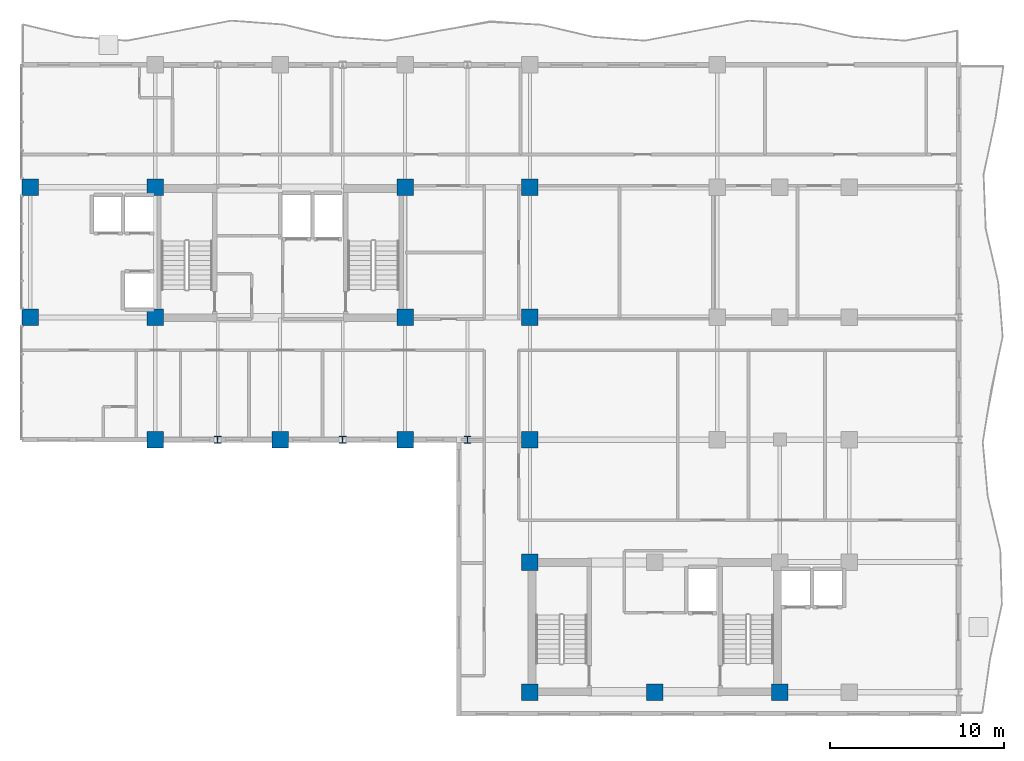
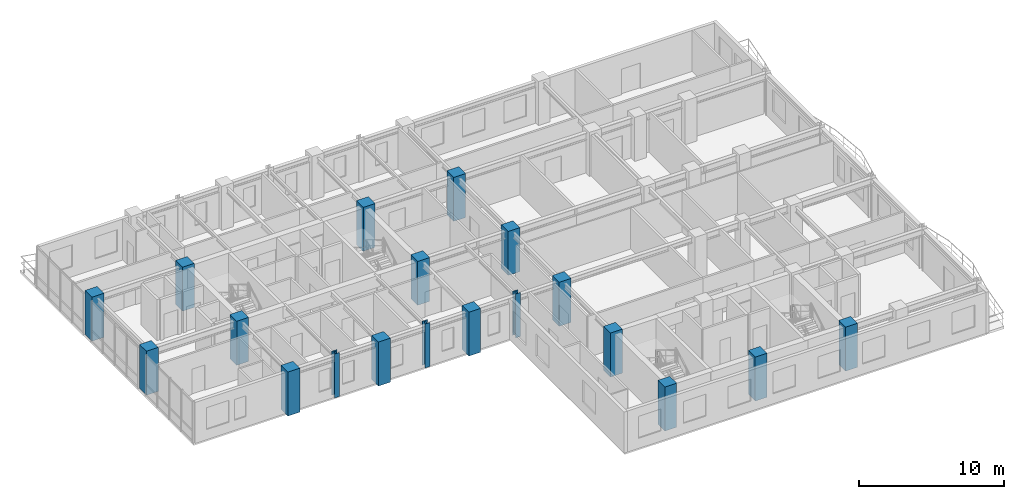
# One storey, part 1 of 20: 19 columns.
"""IFC4 building model written with IfcOpenShell, lengths in metres."""

from ifc_helpers import new_model, si_unit, direction, frame, origin, origin_2d, place, context, subcontext, project, spatial, rectangle, i_section, extrude, source, transform, mapped, material, material_profile, profile_set, type_object, element, save


model = new_model("IFC4")

# Units and contexts
model_context = context("Model", 3, precision=1e-05, world=origin(), true_north=direction((0.0, 1.0)))
body_context = subcontext(model_context, "Body", "Model", "MODEL_VIEW")
ifc_project = project(units=[si_unit("LENGTHUNIT", "METRE"), si_unit("AREAUNIT", "SQUARE_METRE"), si_unit("VOLUMEUNIT", "CUBIC_METRE"), si_unit("PLANEANGLEUNIT", "RADIAN"), si_unit("MASSUNIT", "GRAM", prefix="KILO")], contexts=[model_context])

# Site, building, storey
site_placement = place(None, origin())
site = spatial("IfcSite", under=ifc_project, at=site_placement, CompositionType="ELEMENT")
building_placement = place(site_placement, origin())
building = spatial("IfcBuilding", under=site, at=building_placement, Name="Kaliganga Portal Commons", CompositionType="ELEMENT")
storey_placement = place(building_placement, frame((0.0, 0.0, 201.800048828125)))
storey = spatial("IfcBuildingStorey", under=building, at=storey_placement, Name="L51", CompositionType="ELEMENT", Elevation=201.800048828125)

# Columns
ifc_material_1 = material(Name="Concrete C50/60", Category="concrete")
ifc_material_profile_1 = material_profile(ifc_material_1, rectangle(XDim=0.949951171875, YDim=0.949951171875, at=origin_2d()), Name="RC 950x950")
ifc_profile_set_1 = profile_set([ifc_material_profile_1], Name="Concrete C50/60")
column_type_1 = type_object("IfcColumnType", Name="COL-MEGA-Z4", PredefinedType="COLUMN", material=ifc_profile_set_1)
shared_shape_1 = source(origin(), body_context, "Body", "SweptSolid", [
    extrude(rectangle(XDim=0.949951171875, YDim=0.949951171875, at=origin_2d()), origin(), (0.0, 0.0, 1.0), 3.699951171875),
])
for number, where, z_axis, x_axis, name in (
    (1, (7.199951171875, 28.64990234375, 0.0), (0.0, 0.0, 1.0), (1.0, 0.0, 0.0), "Column MC-05 L51"),
    (2, (7.199951171875, 36.14990234375, 0.0), (0.0, 0.0, 1.0), (1.0, 0.0, 0.0), "Column MC-05 L51"),
    (3, (14.39990234375, 21.60009765625, 0.0), (0.0, 0.0, 1.0), (1.0, 0.0, 0.0), "Column MC-05 L51"),
    (4, (14.39990234375, 28.64990234375, 0.0), (0.0, 0.0, 1.0), (1.0, 0.0, 0.0), "Column MC-05 L51"),
    (5, (14.39990234375, 36.14990234375, 0.0), (0.0, 0.0, 1.0), (1.0, 0.0, 0.0), "Column MC-05 L51"),
    (6, (21.60009765625, 21.60009765625, 0.0), (0.0, 0.0, 1.0), (1.0, 0.0, 0.0), "Column MC-05 L51"),
    (7, (28.800048828125, 21.60009765625, 0.0), (0.0, 0.0, 1.0), (1.0, 0.0, 0.0), "Column MC-05 L51"),
    (8, (28.800048828125, 28.64990234375, 0.0), (0.0, 0.0, 1.0), (1.0, 0.0, 0.0), "Column MC-05 L51"),
    (9, (28.800048828125, 36.14990234375, 0.0), (0.0, 0.0, 1.0), (1.0, 0.0, 0.0), "Column MC-05 L51"),
    (10, (36.0, 21.60009765625, 0.0), (0.0, 0.0, 1.0), (1.0, 0.0, 0.0), "Column MC-05 L51"),
    (11, (36.0, 28.64990234375, 0.0), (0.0, 0.0, 1.0), (1.0, 0.0, 0.0), "Column MC-05 L51"),
    (12, (36.0, 36.14990234375, 0.0), (0.0, 0.0, 1.0), (1.0, 0.0, 0.0), "Column MC-05 L51"),
    (13, (36.0, 7.050048828125, 0.0), (0.0, 0.0, 1.0), (1.0, 0.0, 0.0), "Column MC-05 L51"),
    (14, (36.0, 14.550048828125, 0.0), (0.0, 0.0, 1.0), (1.0, 0.0, 0.0), "Column MC-05 L51"),
    (15, (43.199951171875, 7.050048828125, 0.0), (0.0, 0.0, 1.0), (1.0, 0.0, 0.0), "Column MC-05 L51"),
    (16, (50.39990234375, 7.050048828125, 0.0), (0.0, 0.0, 1.0), (1.0, 0.0, 0.0), "Column MC-05 L51"),
):
    element("IfcColumn", number, at=place(storey_placement, frame(where, z_axis=z_axis, x_axis=x_axis)), inside=storey, type_object=column_type_1, Name=name, PredefinedType="COLUMN", context=body_context, shape_type="MappedRepresentation", body=[
        mapped(shared_shape_1, transform((0.0, 0.0, 0.0), x_axis=(1.0, 0.0, 0.0), y_axis=(0.0, 1.0, 0.0), z_axis=(0.0, 0.0, 1.0), scale=1.0)),
    ])
ifc_material_2 = material(Name="Structural steel S355J2", Category="steel")
ifc_material_profile_2 = material_profile(ifc_material_2, i_section(OverallWidth=0.39892578125, OverallDepth=0.39990234375, WebThickness=0.017333984375, FlangeThickness=0.0234375, FilletRadius=0.014892578125, at=origin_2d()), Name="HD 400x287")
ifc_profile_set_2 = profile_set([ifc_material_profile_2], Name="Structural steel S355J2 wide-flange")
column_type_2 = type_object("IfcColumnType", Name="COL-TUBE-B4", PredefinedType="COLUMN", material=ifc_profile_set_2)
shared_shape_2 = source(origin(), body_context, "Body", "SweptSolid", [
    extrude(i_section(OverallWidth=0.39892578125, OverallDepth=0.39990234375, WebThickness=0.017333984375, FlangeThickness=0.0234375, FilletRadius=0.014892578125, at=origin_2d()), origin(), (0.0, 0.0, 1.0), 3.699951171875),
])
for number, where, z_axis, x_axis, name in (
    (17, (18.0, 21.60009765625, 0.0), (0.0, 0.0, 1.0), (1.0, 0.0, 0.0), "Column TC-04 L51"),
    (18, (25.199951171875, 21.60009765625, 0.0), (0.0, 0.0, 1.0), (1.0, 0.0, 0.0), "Column TC-04 L51"),
    (19, (32.39990234375, 21.60009765625, 0.0), (0.0, 0.0, 1.0), (1.0, 0.0, 0.0), "Column TC-04 L51"),
):
    element("IfcColumn", number, at=place(storey_placement, frame(where, z_axis=z_axis, x_axis=x_axis)), inside=storey, type_object=column_type_2, Name=name, PredefinedType="COLUMN", context=body_context, shape_type="MappedRepresentation", body=[
        mapped(shared_shape_2, transform((0.0, 0.0, 0.0), x_axis=(1.0, 0.0, 0.0), y_axis=(0.0, 1.0, 0.0), z_axis=(0.0, 0.0, 1.0), scale=1.0)),
    ])

save(model, "model.ifc")
